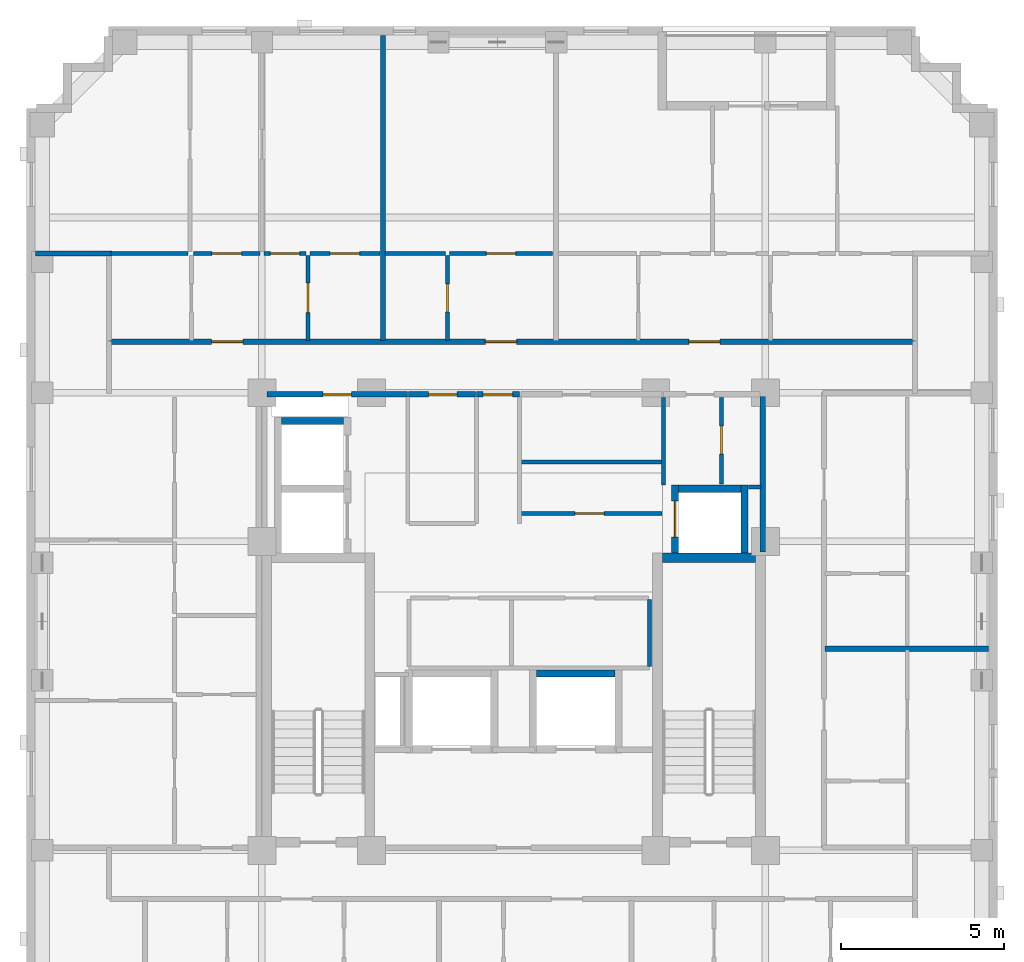
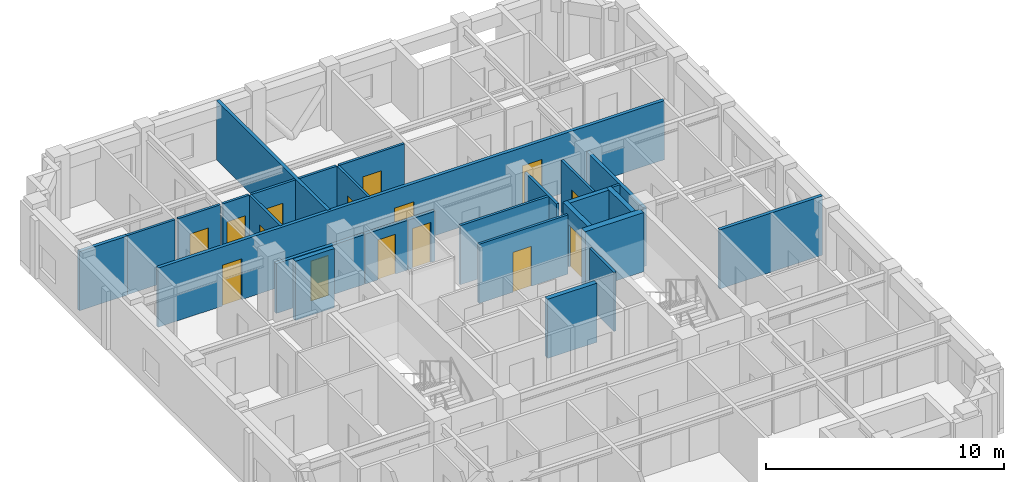
# One storey, part 5 of 11: 28 walls, 15 doors, 15 openings.
"""IFC4 building model written with IfcOpenShell, lengths in metres."""

from ifc_helpers import new_model, si_unit, derived_unit, direction, frame, frame_2d, origin, place, context, subcontext, project, spatial, rectangle, extrude, material, layer, layer_set, type_object, element, fill, save


model = new_model("IFC4")

# Units and contexts
model_context = context("Model", 3, precision=1e-05, world=origin(), true_north=direction((0.0, 1.0)))
body_context = subcontext(model_context, "Body", "Model", "MODEL_VIEW")
ifc_project = project(units=[si_unit("LENGTHUNIT", "METRE"), si_unit("AREAUNIT", "SQUARE_METRE"), si_unit("VOLUMEUNIT", "CUBIC_METRE"), si_unit("PLANEANGLEUNIT", "RADIAN"), si_unit("MASSUNIT", "GRAM", prefix="KILO"), derived_unit("THERMALTRANSMITTANCEUNIT", [(si_unit("MASSUNIT", "GRAM", prefix="KILO"), 1), (si_unit("TIMEUNIT", "SECOND"), -3), (si_unit("THERMODYNAMICTEMPERATUREUNIT", "KELVIN"), -1)])], contexts=[model_context])

# Site, building, storey
site_placement = place(None, origin())
site = spatial("IfcSite", under=ifc_project, at=site_placement, CompositionType="ELEMENT")
building_placement = place(site_placement, origin())
building = spatial("IfcBuilding", under=site, at=building_placement, Name="Korrvale Station Residences", CompositionType="ELEMENT")
storey_placement = place(building_placement, frame((0.0, 0.0, 210.699951171875)))
storey = spatial("IfcBuildingStorey", under=building, at=storey_placement, Name="L61", CompositionType="ELEMENT", Elevation=210.699951171875)

# Walls
ifc_material_1 = material(Name="Concrete C50/60", Category="concrete")
ifc_layer_1 = layer(ifc_material_1, 0.300048828125, Name="Concrete C50/60")
ifc_layer_set_1 = layer_set([ifc_layer_1], Name="Concrete C50/60")
wall_type_1 = type_object("IfcWallType", Name="WAL-CORE-300-C50", PredefinedType="SHEAR", material=ifc_layer_set_1)
wall_1_placement = place(storey_placement, frame((30.050048828125, 23.949951171875, 0.0), z_axis=(0.0, 0.0, 1.0), x_axis=(1.0, 0.0, 0.0)))
element("IfcWall", 1, at=wall_1_placement, inside=storey, type_object=wall_type_1, Name="L61 ST-2 Core Shear Wall North", PredefinedType="SHEAR", context=body_context, shape_type="SweptSolid", body=[
    extrude(rectangle(XDim=2.849853515625, YDim=0.300048828125, at=frame_2d((1.4248046875, 0.0))), origin(), (0.0, 0.0, 1.0), 3.0400390625),
])
ifc_material_2 = material(Name="Acoustic steel-stud gypsum board partition", Category="steel")
ifc_layer_2 = layer(ifc_material_2, 0.1201171875, Name="Acoustic steel-stud gypsum board partition")
ifc_layer_set_2 = layer_set([ifc_layer_2], Name="Acoustic steel-stud gypsum board partition")
wall_type_2 = type_object("IfcWallType", Name="WAL-PART-125", PredefinedType="PARTITIONING", material=ifc_layer_set_2)
wall_2_placement = place(storey_placement, frame((30.080078125, 26.179931640625, 0.0), z_axis=(0.0, 0.0, 1.0), x_axis=(0.0, 1.0, 0.0)))
element("IfcWall", 2, at=wall_2_placement, inside=storey, type_object=wall_type_2, Name="L61 Core Partition CW-CS-W", PredefinedType="PARTITIONING", context=body_context, shape_type="SweptSolid", body=[
    extrude(rectangle(XDim=2.68017578125, YDim=0.1201171875, at=frame_2d((1.340087890625, 0.0))), origin(), (0.0, 0.0, 1.0), 3.0400390625),
])
wall_3_placement = place(storey_placement, frame((32.679931640625, 26.1201171875, 0.0), z_axis=(0.0, 0.0, 1.0), x_axis=(1.0, 0.0, 0.0)))
element("IfcWall", 3, at=wall_3_placement, inside=storey, type_object=wall_type_2, Name="L61 Core Partition CW-CS-S", PredefinedType="PARTITIONING", context=body_context, shape_type="SweptSolid", body=[
    extrude(rectangle(XDim=0.380126953125, YDim=0.1201171875, at=frame_2d((0.18994140625, 0.0))), origin(), (0.0, 0.0, 1.0), 3.0400390625),
])

# Wall, opening, door
wall_4_placement = place(storey_placement, frame((31.860107421875, 26.199951171875, 0.0), z_axis=(0.0, 0.0, 1.0), x_axis=(0.0, 1.0, 0.0)))
wall_4 = element("IfcWall", 4, at=wall_4_placement, inside=storey, type_object=wall_type_2, Name="L61 Core Partition CW-CS-MID", PredefinedType="PARTITIONING", context=body_context, shape_type="SweptSolid", body=[
    extrude(rectangle(XDim=2.66015625, YDim=0.1201171875, at=frame_2d((1.330078125, 0.0))), origin(), (0.0, 0.0, 1.0), 3.0400390625),
])
opening_1_placement = place(wall_4_placement, frame((0.919921875, 0.0, 0.0)))
opening_1 = element("IfcOpeningElement", 5, at=opening_1_placement, cuts=wall_4, Name="Opening DB-860", PredefinedType="OPENING", context=body_context, shape_type="SweptSolid", body=[
    extrude(rectangle(XDim=0.860107421875, YDim=2.050048828125, at=frame_2d((0.43017578125, 1.02490234375))), frame((0.0, 0.070068359375, 0.0), z_axis=(0.0, -1.0, 0.0), x_axis=(1.0, 0.0, 0.0)), (0.0, 0.0, 1.0), 0.14013671875),
])
ifc_material_3 = material(Name="Moisture-resistant solid-core bathroom door", Category="timber")
door_type_1 = type_object("IfcDoorType", Name="DR-BATH-860", OperationType="NOTDEFINED", PredefinedType="DOOR", material=ifc_material_3)
door_1_placement = place(opening_1_placement, origin())
door_1 = element("IfcDoor", 6, at=door_1_placement, inside=storey, type_object=door_type_1, Name="L61 Metering Inner Door", OperationType="SINGLE_SWING_LEFT", OverallHeight=2.050048828125, OverallWidth=0.860107421875, PredefinedType="DOOR", context=body_context, shape_type="SweptSolid", body=[
    extrude(rectangle(XDim=0.860107421875, YDim=2.050048828125, at=frame_2d((0.43017578125, 1.02490234375))), frame((0.0, 0.02490234375, 0.0), z_axis=(0.0, -1.0, 0.0), x_axis=(1.0, 0.0, 0.0)), (0.0, 0.0, 1.0), 0.050048828125),
])
fill(opening_1, door_1)

# Wall
wall_5_placement = place(storey_placement, frame((25.719970703125, 26.8798828125, 0.0), z_axis=(0.0, 0.0, 1.0), x_axis=(1.0, 0.0, 0.0)))
element("IfcWall", 7, at=wall_5_placement, inside=storey, type_object=wall_type_2, Name="L61 Core Partition CW-FPLE-H", PredefinedType="PARTITIONING", context=body_context, shape_type="SweptSolid", body=[
    extrude(rectangle(XDim=4.320068359375, YDim=0.1201171875, at=frame_2d((2.16015625, 0.0))), origin(), (0.0, 0.0, 1.0), 3.0400390625),
])

# Wall, opening, door
wall_6_placement = place(storey_placement, frame((25.719970703125, 25.300048828125, 0.0), z_axis=(0.0, 0.0, 1.0), x_axis=(1.0, 0.0, 0.0)))
wall_6 = element("IfcWall", 8, at=wall_6_placement, inside=storey, type_object=wall_type_2, Name="L61 Core Partition CW-FPLE-S", PredefinedType="PARTITIONING", context=body_context, shape_type="SweptSolid", body=[
    extrude(rectangle(XDim=4.320068359375, YDim=0.1201171875, at=frame_2d((2.16015625, 0.0))), origin(), (0.0, 0.0, 1.0), 3.0400390625),
])
opening_2_placement = place(wall_6_placement, frame((1.64990234375, 0.0, 0.0)))
opening_2 = element("IfcOpeningElement", 9, at=opening_2_placement, cuts=wall_6, Name="Opening DI-900", PredefinedType="OPENING", context=body_context, shape_type="SweptSolid", body=[
    extrude(rectangle(XDim=0.89990234375, YDim=2.050048828125, at=frame_2d((0.449951171875, 1.02490234375))), frame((0.0, 0.070068359375, 0.0), z_axis=(0.0, -1.0, 0.0), x_axis=(1.0, 0.0, 0.0)), (0.0, 0.0, 1.0), 0.14013671875),
])
ifc_material_4 = material(Name="Painted solid-core timber interior room door", Category="wood")
door_type_2 = type_object("IfcDoorType", Name="DR-INT-900", OperationType="NOTDEFINED", PredefinedType="DOOR", material=ifc_material_4)
door_2_placement = place(opening_2_placement, origin())
door_2 = element("IfcDoor", 10, at=door_2_placement, inside=storey, type_object=door_type_2, Name="L61 Housekeeping Linen Door", OperationType="SINGLE_SWING_RIGHT", OverallHeight=2.050048828125, OverallWidth=0.89990234375, PredefinedType="DOOR", context=body_context, shape_type="SweptSolid", body=[
    extrude(rectangle(XDim=0.89990234375, YDim=2.050048828125, at=frame_2d((0.449951171875, 1.02490234375))), frame((0.0, 0.02490234375, 0.0), z_axis=(0.0, -1.0, 0.0), x_axis=(1.0, 0.0, 0.0)), (0.0, 0.0, 1.0), 0.050048828125),
])
fill(opening_2, door_2)

# Walls
wall_7_placement = place(storey_placement, frame((29.659912109375, 20.6201171875, 0.0), z_axis=(0.0, 0.0, 1.0), x_axis=(0.0, 1.0, 0.0)))
element("IfcWall", 11, at=wall_7_placement, inside=storey, type_object=wall_type_2, Name="L61 Core Partition CW-FPM-E", PredefinedType="PARTITIONING", context=body_context, shape_type="SweptSolid", body=[
    extrude(rectangle(XDim=2.059814453125, YDim=0.1201171875, at=frame_2d((1.02978515625, 0.0))), origin(), (0.0, 0.0, 1.0), 3.0400390625),
])
wall_8_placement = place(storey_placement, frame((13.179931640625, 33.260009765625, 0.0), z_axis=(0.0, 0.0, 1.0), x_axis=(1.0, 0.0, 0.0)))
element("IfcWall", 12, at=wall_8_placement, inside=storey, type_object=wall_type_2, Name="L61 Suite Partition U04-H03", PredefinedType="PARTITIONING", context=body_context, shape_type="SweptSolid", body=[
    extrude(rectangle(XDim=2.361083984375, YDim=0.1201171875, at=frame_2d((1.1806640625, 0.0))), origin(), (0.0, 0.0, 1.0), 3.0400390625),
])

# Wall, opening, door
wall_9_placement = place(storey_placement, frame((19.2099609375, 30.60009765625, 0.0), z_axis=(0.0, 0.0, 1.0), x_axis=(0.0, 1.0, 0.0)))
wall_9 = element("IfcWall", 13, at=wall_9_placement, inside=storey, type_object=wall_type_2, Name="L61 Suite Partition U04-V12", PredefinedType="PARTITIONING", context=body_context, shape_type="SweptSolid", body=[
    extrude(rectangle(XDim=2.599853515625, YDim=0.1201171875, at=frame_2d((1.2998046875, 0.0))), origin(), (0.0, 0.0, 1.0), 3.0400390625),
])
opening_3_placement = place(wall_9_placement, frame((0.85009765625, 0.0, 0.0)))
opening_3 = element("IfcOpeningElement", 14, at=opening_3_placement, cuts=wall_9, Name="Opening DI-900", PredefinedType="OPENING", context=body_context, shape_type="SweptSolid", body=[
    extrude(rectangle(XDim=0.89990234375, YDim=2.050048828125, at=frame_2d((0.449951171875, 1.02490234375))), frame((0.0, 0.070068359375, 0.0), z_axis=(0.0, -1.0, 0.0), x_axis=(1.0, 0.0, 0.0)), (0.0, 0.0, 1.0), 0.14013671875),
])
door_3_placement = place(opening_3_placement, origin())
door_3 = element("IfcDoor", 15, at=door_3_placement, inside=storey, type_object=door_type_2, Name="L61 Apartment 2BR L61-U04 Kitchen Door", OperationType="SINGLE_SWING_LEFT", OverallHeight=2.050048828125, OverallWidth=0.89990234375, PredefinedType="DOOR", context=body_context, shape_type="SweptSolid", body=[
    extrude(rectangle(XDim=0.89990234375, YDim=2.050048828125, at=frame_2d((0.449951171875, 1.02490234375))), frame((0.0, 0.02490234375, 0.0), z_axis=(0.0, -1.0, 0.0), x_axis=(1.0, 0.0, 0.0)), (0.0, 0.0, 1.0), 0.050048828125),
])
fill(opening_3, door_3)

wall_10_placement = place(storey_placement, frame((15.699951171875, 33.260009765625, 0.0), z_axis=(0.0, 0.0, 1.0), x_axis=(1.0, 0.0, 0.0)))
wall_10 = element("IfcWall", 16, at=wall_10_placement, inside=storey, type_object=wall_type_2, Name="L61 Suite Partition U04-H14", PredefinedType="PARTITIONING", context=body_context, shape_type="SweptSolid", body=[
    extrude(rectangle(XDim=2.0400390625, YDim=0.1201171875, at=frame_2d((1.02001953125, 0.0))), origin(), (0.0, 0.0, 1.0), 3.0400390625),
])
opening_4_placement = place(wall_10_placement, frame((0.570068359375, 0.0, 0.0)))
opening_4 = element("IfcOpeningElement", 17, at=opening_4_placement, cuts=wall_10, Name="Opening DI-900", PredefinedType="OPENING", context=body_context, shape_type="SweptSolid", body=[
    extrude(rectangle(XDim=0.89990234375, YDim=2.050048828125, at=frame_2d((0.449951171875, 1.02490234375))), frame((0.0, 0.070068359375, 0.0), z_axis=(0.0, -1.0, 0.0), x_axis=(1.0, 0.0, 0.0)), (0.0, 0.0, 1.0), 0.14013671875),
])
door_4_placement = place(opening_4_placement, origin())
door_4 = element("IfcDoor", 18, at=door_4_placement, inside=storey, type_object=door_type_2, Name="L61 Apartment 2BR L61-U04 Kitchen Door", OperationType="SINGLE_SWING_RIGHT", OverallHeight=2.050048828125, OverallWidth=0.89990234375, PredefinedType="DOOR", context=body_context, shape_type="SweptSolid", body=[
    extrude(rectangle(XDim=0.89990234375, YDim=2.050048828125, at=frame_2d((0.449951171875, 1.02490234375))), frame((0.0, 0.02490234375, 0.0), z_axis=(0.0, -1.0, 0.0), x_axis=(1.0, 0.0, 0.0)), (0.0, 0.0, 1.0), 0.050048828125),
])
fill(opening_4, door_4)

wall_11_placement = place(storey_placement, frame((17.860107421875, 33.260009765625, 0.0), z_axis=(0.0, 0.0, 1.0), x_axis=(1.0, 0.0, 0.0)))
wall_11 = element("IfcWall", 19, at=wall_11_placement, inside=storey, type_object=wall_type_2, Name="L61 Suite Partition U04-H15", PredefinedType="PARTITIONING", context=body_context, shape_type="SweptSolid", body=[
    extrude(rectangle(XDim=1.289794921875, YDim=0.1201171875, at=frame_2d((0.64501953125, 0.0))), origin(), (0.0, 0.0, 1.0), 3.0400390625),
])
opening_5_placement = place(wall_11_placement, frame((0.195068359375, 0.0, 0.0)))
opening_5 = element("IfcOpeningElement", 20, at=opening_5_placement, cuts=wall_11, Name="Opening DI-900", PredefinedType="OPENING", context=body_context, shape_type="SweptSolid", body=[
    extrude(rectangle(XDim=0.89990234375, YDim=2.050048828125, at=frame_2d((0.449951171875, 1.02490234375))), frame((0.0, 0.070068359375, 0.0), z_axis=(0.0, -1.0, 0.0), x_axis=(1.0, 0.0, 0.0)), (0.0, 0.0, 1.0), 0.14013671875),
])
door_5_placement = place(opening_5_placement, origin())
door_5 = element("IfcDoor", 21, at=door_5_placement, inside=storey, type_object=door_type_2, Name="L61 Apartment 2BR L61-U04 Kitchen Door", OperationType="SINGLE_SWING_LEFT", OverallHeight=2.050048828125, OverallWidth=0.89990234375, PredefinedType="DOOR", context=body_context, shape_type="SweptSolid", body=[
    extrude(rectangle(XDim=0.89990234375, YDim=2.050048828125, at=frame_2d((0.449951171875, 1.02490234375))), frame((0.0, 0.02490234375, 0.0), z_axis=(0.0, -1.0, 0.0), x_axis=(1.0, 0.0, 0.0)), (0.0, 0.0, 1.0), 0.050048828125),
])
fill(opening_5, door_5)

wall_12_placement = place(storey_placement, frame((19.27001953125, 33.260009765625, 0.0), z_axis=(0.0, 0.0, 1.0), x_axis=(1.0, 0.0, 0.0)))
wall_12 = element("IfcWall", 22, at=wall_12_placement, inside=storey, type_object=wall_type_2, Name="L61 Suite Partition U04-H25", PredefinedType="PARTITIONING", context=body_context, shape_type="SweptSolid", body=[
    extrude(rectangle(XDim=2.135009765625, YDim=0.1201171875, at=frame_2d((1.0673828125, 0.0))), origin(), (0.0, 0.0, 1.0), 3.0400390625),
])
opening_6_placement = place(wall_12_placement, frame((0.616943359375, 0.0, 0.0)))
opening_6 = element("IfcOpeningElement", 23, at=opening_6_placement, cuts=wall_12, Name="Opening DI-900", PredefinedType="OPENING", context=body_context, shape_type="SweptSolid", body=[
    extrude(rectangle(XDim=0.89990234375, YDim=2.050048828125, at=frame_2d((0.449951171875, 1.02490234375))), frame((0.0, 0.070068359375, 0.0), z_axis=(0.0, -1.0, 0.0), x_axis=(1.0, 0.0, 0.0)), (0.0, 0.0, 1.0), 0.14013671875),
])
door_6_placement = place(opening_6_placement, origin())
door_6 = element("IfcDoor", 24, at=door_6_placement, inside=storey, type_object=door_type_2, Name="L61 Apartment 2BR L61-U04 Utility and Laundry Room Door", OperationType="SINGLE_SWING_RIGHT", OverallHeight=2.050048828125, OverallWidth=0.89990234375, PredefinedType="DOOR", context=body_context, shape_type="SweptSolid", body=[
    extrude(rectangle(XDim=0.89990234375, YDim=2.050048828125, at=frame_2d((0.449951171875, 1.02490234375))), frame((0.0, 0.02490234375, 0.0), z_axis=(0.0, -1.0, 0.0), x_axis=(1.0, 0.0, 0.0)), (0.0, 0.0, 1.0), 0.050048828125),
])
fill(opening_6, door_6)

wall_13_placement = place(storey_placement, frame((23.47509765625, 30.60009765625, 0.0), z_axis=(0.0, 0.0, 1.0), x_axis=(0.0, 1.0, 0.0)))
wall_13 = element("IfcWall", 25, at=wall_13_placement, inside=storey, type_object=wall_type_2, Name="L61 Suite Partition U05-V01", PredefinedType="PARTITIONING", context=body_context, shape_type="SweptSolid", body=[
    extrude(rectangle(XDim=2.599853515625, YDim=0.1201171875, at=frame_2d((1.2998046875, 0.0))), origin(), (0.0, 0.0, 1.0), 3.0400390625),
])
opening_7_placement = place(wall_13_placement, frame((0.8701171875, 0.0, 0.0)))
opening_7 = element("IfcOpeningElement", 26, at=opening_7_placement, cuts=wall_13, Name="Opening DB-860", PredefinedType="OPENING", context=body_context, shape_type="SweptSolid", body=[
    extrude(rectangle(XDim=0.860107421875, YDim=2.050048828125, at=frame_2d((0.43017578125, 1.02490234375))), frame((0.0, 0.070068359375, 0.0), z_axis=(0.0, -1.0, 0.0), x_axis=(1.0, 0.0, 0.0)), (0.0, 0.0, 1.0), 0.14013671875),
])
door_7_placement = place(opening_7_placement, origin())
door_7 = element("IfcDoor", 27, at=door_7_placement, inside=storey, type_object=door_type_1, Name="L61 Studio Apartment L61-U05 Bathroom Door", OperationType="SINGLE_SWING_LEFT", OverallHeight=2.050048828125, OverallWidth=0.860107421875, PredefinedType="DOOR", context=body_context, shape_type="SweptSolid", body=[
    extrude(rectangle(XDim=0.860107421875, YDim=2.050048828125, at=frame_2d((0.43017578125, 1.02490234375))), frame((0.0, 0.02490234375, 0.0), z_axis=(0.0, -1.0, 0.0), x_axis=(1.0, 0.0, 0.0)), (0.0, 0.0, 1.0), 0.050048828125),
])
fill(opening_7, door_7)

# Wall
wall_14_placement = place(storey_placement, frame((21.56494140625, 33.260009765625, 0.0), z_axis=(0.0, 0.0, 1.0), x_axis=(1.0, 0.0, 0.0)))
element("IfcWall", 28, at=wall_14_placement, inside=storey, type_object=wall_type_2, Name="L61 Suite Partition U05-H02", PredefinedType="PARTITIONING", context=body_context, shape_type="SweptSolid", body=[
    extrude(rectangle(XDim=1.85009765625, YDim=0.1201171875, at=frame_2d((0.925048828125, 0.0))), origin(), (0.0, 0.0, 1.0), 3.0400390625),
])

# Wall, opening, door
wall_15_placement = place(storey_placement, frame((23.534912109375, 33.260009765625, 0.0), z_axis=(0.0, 0.0, 1.0), x_axis=(1.0, 0.0, 0.0)))
wall_15 = element("IfcWall", 29, at=wall_15_placement, inside=storey, type_object=wall_type_2, Name="L61 Suite Partition U05-H12", PredefinedType="PARTITIONING", context=body_context, shape_type="SweptSolid", body=[
    extrude(rectangle(XDim=3.156982421875, YDim=0.1201171875, at=frame_2d((1.57861328125, 0.0))), origin(), (0.0, 0.0, 1.0), 3.0400390625),
])
opening_8_placement = place(wall_15_placement, frame((1.12890625, 0.0, 0.0)))
opening_8 = element("IfcOpeningElement", 30, at=opening_8_placement, cuts=wall_15, Name="Opening DI-900", PredefinedType="OPENING", context=body_context, shape_type="SweptSolid", body=[
    extrude(rectangle(XDim=0.89990234375, YDim=2.050048828125, at=frame_2d((0.449951171875, 1.02490234375))), frame((0.0, 0.070068359375, 0.0), z_axis=(0.0, -1.0, 0.0), x_axis=(1.0, 0.0, 0.0)), (0.0, 0.0, 1.0), 0.14013671875),
])
door_8_placement = place(opening_8_placement, origin())
door_8 = element("IfcDoor", 31, at=door_8_placement, inside=storey, type_object=door_type_2, Name="L61 Studio Apartment L61-U05 Kitchen Door", OperationType="SINGLE_SWING_RIGHT", OverallHeight=2.050048828125, OverallWidth=0.89990234375, PredefinedType="DOOR", context=body_context, shape_type="SweptSolid", body=[
    extrude(rectangle(XDim=0.89990234375, YDim=2.050048828125, at=frame_2d((0.449951171875, 1.02490234375))), frame((0.0, 0.02490234375, 0.0), z_axis=(0.0, -1.0, 0.0), x_axis=(1.0, 0.0, 0.0)), (0.0, 0.0, 1.0), 0.050048828125),
])
fill(opening_8, door_8)

# Wall
ifc_material_5 = material(Name="Fire-rated twin-stud gypsum and mineral wool shaftwall assembly", Category="gypsum")
ifc_layer_3 = layer(ifc_material_5, 0.159912109375, Name="Fire-rated twin-stud gypsum and mineral wool shaftwall assembly")
ifc_layer_set_3 = layer_set([ifc_layer_3], Name="Fire-rated twin-stud gypsum and mineral wool shaftwall assembly")
wall_type_3 = type_object("IfcWallType", Name="WAL-PART-200", PredefinedType="PARTITIONING", material=ifc_layer_set_3)
wall_16_placement = place(storey_placement, frame((33.1201171875, 24.1201171875, 0.0), z_axis=(0.0, 0.0, 1.0), x_axis=(0.0, 1.0, 0.0)))
element("IfcWall", 32, at=wall_16_placement, inside=storey, type_object=wall_type_3, Name="L61 Core Partition CW-E-N", PredefinedType="PARTITIONING", context=body_context, shape_type="SweptSolid", body=[
    extrude(rectangle(XDim=4.759765625, YDim=0.159912109375, at=frame_2d((2.3798828125, 0.0))), origin(), (0.0, 0.0, 1.0), 3.0400390625),
])

# Wall, opening, door
wall_17_placement = place(storey_placement, frame((24.360107421875, 28.949951171875, 0.0), z_axis=(0.0, 0.0, 1.0), x_axis=(1.0, 0.0, 0.0)))
wall_17 = element("IfcWall", 33, at=wall_17_placement, inside=storey, type_object=wall_type_3, Name="L61 Core Partition CW-LLOB-N", PredefinedType="PARTITIONING", context=body_context, shape_type="SweptSolid", body=[
    extrude(rectangle(XDim=1.31982421875, YDim=0.159912109375, at=frame_2d((0.659912109375, 0.0))), origin(), (0.0, 0.0, 1.0), 2.55615234375),
])
opening_9_placement = place(wall_17_placement, frame((0.2099609375, 0.0, 0.0)))
opening_9 = element("IfcOpeningElement", 34, at=opening_9_placement, cuts=wall_17, Name="Opening DI-900", PredefinedType="OPENING", context=body_context, shape_type="SweptSolid", body=[
    extrude(rectangle(XDim=0.89990234375, YDim=2.050048828125, at=frame_2d((0.449951171875, 1.02490234375))), frame((0.0, 0.08984375, 0.0), z_axis=(0.0, -1.0, 0.0), x_axis=(1.0, 0.0, 0.0)), (0.0, 0.0, 1.0), 0.179931640625),
])
door_9_placement = place(opening_9_placement, origin())
door_9 = element("IfcDoor", 35, at=door_9_placement, inside=storey, type_object=door_type_2, Name="L61 Central Hallway North Passage Door", OperationType="SINGLE_SWING_LEFT", OverallHeight=2.050048828125, OverallWidth=0.89990234375, PredefinedType="DOOR", context=body_context, shape_type="SweptSolid", body=[
    extrude(rectangle(XDim=0.89990234375, YDim=2.050048828125, at=frame_2d((0.449951171875, 1.02490234375))), frame((0.0, 0.02490234375, 0.0), z_axis=(0.0, -1.0, 0.0), x_axis=(1.0, 0.0, 0.0)), (0.0, 0.0, 1.0), 0.050048828125),
])
fill(opening_9, door_9)

wall_18_placement = place(storey_placement, frame((17.9599609375, 28.949951171875, 0.0), z_axis=(0.0, 0.0, 1.0), x_axis=(1.0, 0.0, 0.0)))
wall_18 = element("IfcWall", 36, at=wall_18_placement, inside=storey, type_object=wall_type_3, Name="L61 Core Partition CW-NW", PredefinedType="PARTITIONING", context=body_context, shape_type="SweptSolid", body=[
    extrude(rectangle(XDim=4.2900390625, YDim=0.159912109375, at=frame_2d((2.14501953125, 0.0))), origin(), (0.0, 0.0, 1.0), 2.55615234375),
])
opening_10_placement = place(wall_18_placement, frame((1.715087890625, 0.0, 0.0)))
opening_10 = element("IfcOpeningElement", 37, at=opening_10_placement, cuts=wall_18, Name="Opening DB-860", PredefinedType="OPENING", context=body_context, shape_type="SweptSolid", body=[
    extrude(rectangle(XDim=0.860107421875, YDim=2.050048828125, at=frame_2d((0.43017578125, 1.02490234375))), frame((0.0, 0.08984375, 0.0), z_axis=(0.0, -1.0, 0.0), x_axis=(1.0, 0.0, 0.0)), (0.0, 0.0, 1.0), 0.179931640625),
])
door_10_placement = place(opening_10_placement, origin())
door_10 = element("IfcDoor", 38, at=door_10_placement, inside=storey, type_object=door_type_1, Name="L61 Electrical Riser Access Door", OperationType="SINGLE_SWING_RIGHT", OverallHeight=2.050048828125, OverallWidth=0.860107421875, PredefinedType="DOOR", context=body_context, shape_type="SweptSolid", body=[
    extrude(rectangle(XDim=0.860107421875, YDim=2.050048828125, at=frame_2d((0.43017578125, 1.02490234375))), frame((0.0, 0.02490234375, 0.0), z_axis=(0.0, -1.0, 0.0), x_axis=(1.0, 0.0, 0.0)), (0.0, 0.0, 1.0), 0.050048828125),
])
fill(opening_10, door_10)

wall_19_placement = place(storey_placement, frame((22.280029296875, 28.949951171875, 0.0), z_axis=(0.0, 0.0, 1.0), x_axis=(1.0, 0.0, 0.0)))
wall_19 = element("IfcWall", 39, at=wall_19_placement, inside=storey, type_object=wall_type_3, Name="L61 Core Partition CW-FPLW-N", PredefinedType="PARTITIONING", context=body_context, shape_type="SweptSolid", body=[
    extrude(rectangle(XDim=2.06005859375, YDim=0.159912109375, at=frame_2d((1.030029296875, 0.0))), origin(), (0.0, 0.0, 1.0), 2.55615234375),
])
opening_11_placement = place(wall_19_placement, frame((0.6201171875, 0.0, 0.0)))
opening_11 = element("IfcOpeningElement", 40, at=opening_11_placement, cuts=wall_19, Name="Opening DB-860", PredefinedType="OPENING", context=body_context, shape_type="SweptSolid", body=[
    extrude(rectangle(XDim=0.860107421875, YDim=2.050048828125, at=frame_2d((0.43017578125, 1.02490234375))), frame((0.0, 0.08984375, 0.0), z_axis=(0.0, -1.0, 0.0), x_axis=(1.0, 0.0, 0.0)), (0.0, 0.0, 1.0), 0.179931640625),
])
door_11_placement = place(opening_11_placement, origin())
door_11 = element("IfcDoor", 41, at=door_11_placement, inside=storey, type_object=door_type_1, Name="L61 Resident Parcel Room Door", OperationType="SINGLE_SWING_LEFT", OverallHeight=2.050048828125, OverallWidth=0.860107421875, PredefinedType="DOOR", context=body_context, shape_type="SweptSolid", body=[
    extrude(rectangle(XDim=0.860107421875, YDim=2.050048828125, at=frame_2d((0.43017578125, 1.02490234375))), frame((0.0, 0.02490234375, 0.0), z_axis=(0.0, -1.0, 0.0), x_axis=(1.0, 0.0, 0.0)), (0.0, 0.0, 1.0), 0.050048828125),
])
fill(opening_11, door_11)

# Walls
wall_20_placement = place(storey_placement, frame((10.8798828125, 33.260009765625, 0.0), z_axis=(0.0, 0.0, 1.0), x_axis=(1.0, 0.0, 0.0)))
element("IfcWall", 42, at=wall_20_placement, inside=storey, type_object=wall_type_3, Name="L61 Corner Step Wall U04-L", PredefinedType="PARTITIONING", context=body_context, shape_type="SweptSolid", body=[
    extrude(rectangle(XDim=2.340087890625, YDim=0.159912109375, at=frame_2d((1.169921875, 0.0))), origin(), (0.0, 0.0, 1.0), 3.0400390625),
])
wall_21_placement = place(storey_placement, frame((21.5048828125, 30.60009765625, 0.0), z_axis=(0.0, 0.0, 1.0), x_axis=(0.0, 1.0, 0.0)))
element("IfcWall", 43, at=wall_21_placement, inside=storey, type_object=wall_type_3, Name="L61 Demising Wall U05-W", PredefinedType="PARTITIONING", context=body_context, shape_type="SweptSolid", body=[
    extrude(rectangle(XDim=9.31982421875, YDim=0.159912109375, at=frame_2d((4.659912109375, 0.0))), origin(), (0.0, 0.0, 1.0), 3.0400390625),
])
wall_22_placement = place(storey_placement, frame((35.030029296875, 21.166015625, 0.0), z_axis=(0.0, 0.0, 1.0), x_axis=(1.0, 0.0, 0.0)))
element("IfcWall", 44, at=wall_22_placement, inside=storey, type_object=wall_type_3, Name="L61 Demising Wall U08-N", PredefinedType="PARTITIONING", context=body_context, shape_type="SweptSolid", body=[
    extrude(rectangle(XDim=4.989990234375, YDim=0.159912109375, at=frame_2d((2.4951171875, 0.0))), origin(), (0.0, 0.0, 1.0), 3.0400390625),
])

# Wall, openings, doors
wall_23_placement = place(storey_placement, frame((13.14990234375, 30.56005859375, 0.0), z_axis=(0.0, 0.0, 1.0), x_axis=(1.0, 0.0, 0.0)))
wall_23 = element("IfcWall", 45, at=wall_23_placement, inside=storey, type_object=wall_type_3, Name="L61 Rated Corridor Wall N", PredefinedType="PARTITIONING", context=body_context, shape_type="SweptSolid", body=[
    extrude(rectangle(XDim=24.60009765625, YDim=0.159912109375, at=frame_2d((12.300048828125, 0.0))), origin(), (0.0, 0.0, 1.0), 3.0400390625),
])
opening_12_placement = place(wall_23_placement, frame((3.114990234375, 0.0, 0.0)))
opening_12 = element("IfcOpeningElement", 46, at=opening_12_placement, cuts=wall_23, Name="Opening UD-950", PredefinedType="OPENING", context=body_context, shape_type="SweptSolid", body=[
    extrude(rectangle(XDim=0.949951171875, YDim=2.10009765625, at=frame_2d((0.47509765625, 1.050048828125))), frame((0.0, 0.08984375, 0.0), z_axis=(0.0, -1.0, 0.0), x_axis=(1.0, 0.0, 0.0)), (0.0, 0.0, 1.0), 0.179931640625),
])
opening_13_placement = place(wall_23_placement, frame((11.489013671875, 0.0, 0.0)))
opening_13 = element("IfcOpeningElement", 47, at=opening_13_placement, cuts=wall_23, Name="Opening UD-950", PredefinedType="OPENING", context=body_context, shape_type="SweptSolid", body=[
    extrude(rectangle(XDim=0.949951171875, YDim=2.10009765625, at=frame_2d((0.47509765625, 1.050048828125))), frame((0.0, 0.08984375, 0.0), z_axis=(0.0, -1.0, 0.0), x_axis=(1.0, 0.0, 0.0)), (0.0, 0.0, 1.0), 0.179931640625),
])
opening_14_placement = place(wall_23_placement, frame((17.70703125, 0.0, 0.0)))
opening_14 = element("IfcOpeningElement", 48, at=opening_14_placement, cuts=wall_23, Name="Opening UD-950", PredefinedType="OPENING", context=body_context, shape_type="SweptSolid", body=[
    extrude(rectangle(XDim=0.949951171875, YDim=2.10009765625, at=frame_2d((0.47509765625, 1.050048828125))), frame((0.0, 0.08984375, 0.0), z_axis=(0.0, -1.0, 0.0), x_axis=(1.0, 0.0, 0.0)), (0.0, 0.0, 1.0), 0.179931640625),
])
ifc_material_6 = material(Name="Solid-core acoustic oak apartment entrance door", Category="timber")
door_type_3 = type_object("IfcDoorType", Name="DR-UNIT-950", OperationType="NOTDEFINED", PredefinedType="DOOR", material=ifc_material_6)
door_12_placement = place(opening_12_placement, origin())
door_12 = element("IfcDoor", 49, at=door_12_placement, inside=storey, type_object=door_type_3, Name="L61 Apartment L61-U04 Entrance Door", OperationType="SINGLE_SWING_LEFT", OverallHeight=2.10009765625, OverallWidth=0.949951171875, PredefinedType="DOOR", context=body_context, shape_type="SweptSolid", body=[
    extrude(rectangle(XDim=0.949951171875, YDim=2.10009765625, at=frame_2d((0.47509765625, 1.050048828125))), frame((0.0, 0.02490234375, 0.0), z_axis=(0.0, -1.0, 0.0), x_axis=(1.0, 0.0, 0.0)), (0.0, 0.0, 1.0), 0.050048828125),
])
fill(opening_12, door_12)
door_13_placement = place(opening_13_placement, origin())
door_13 = element("IfcDoor", 50, at=door_13_placement, inside=storey, type_object=door_type_3, Name="L61 Apartment L61-U05 Entrance Door", OperationType="SINGLE_SWING_RIGHT", OverallHeight=2.10009765625, OverallWidth=0.949951171875, PredefinedType="DOOR", context=body_context, shape_type="SweptSolid", body=[
    extrude(rectangle(XDim=0.949951171875, YDim=2.10009765625, at=frame_2d((0.47509765625, 1.050048828125))), frame((0.0, 0.02490234375, 0.0), z_axis=(0.0, -1.0, 0.0), x_axis=(1.0, 0.0, 0.0)), (0.0, 0.0, 1.0), 0.050048828125),
])
fill(opening_13, door_13)
door_14_placement = place(opening_14_placement, origin())
door_14 = element("IfcDoor", 51, at=door_14_placement, inside=storey, type_object=door_type_3, Name="L61 Apartment L61-U06 Entrance Door", OperationType="SINGLE_SWING_LEFT", OverallHeight=2.10009765625, OverallWidth=0.949951171875, PredefinedType="DOOR", context=body_context, shape_type="SweptSolid", body=[
    extrude(rectangle(XDim=0.949951171875, YDim=2.10009765625, at=frame_2d((0.47509765625, 1.050048828125))), frame((0.0, 0.02490234375, 0.0), z_axis=(0.0, -1.0, 0.0), x_axis=(1.0, 0.0, 0.0)), (0.0, 0.0, 1.0), 0.050048828125),
])
fill(opening_14, door_14)

# Walls
ifc_layer_4 = layer(ifc_material_1, 0.219970703125, Name="Concrete C50/60")
ifc_layer_set_4 = layer_set([ifc_layer_4], Name="Concrete C50/60")
wall_type_4 = type_object("IfcWallType", Name="WAL-SHAFT-220-C50", PredefinedType="SHEAR", material=ifc_layer_set_4)
wall_24_placement = place(storey_placement, frame((18.39990234375, 28.1298828125, 0.0), z_axis=(0.0, 0.0, 1.0), x_axis=(1.0, 0.0, 0.0)))
element("IfcWall", 52, at=wall_24_placement, inside=storey, type_object=wall_type_4, Name="L61 Elevator PH-2 Hoistway Wall North", PredefinedType="SHEAR", context=body_context, shape_type="SweptSolid", body=[
    extrude(rectangle(XDim=1.900146484375, YDim=0.219970703125, at=frame_2d((0.9501953125, 0.0))), origin(), (0.0, 0.0, 1.0), 3.0400390625),
])
wall_25_placement = place(storey_placement, frame((30.550048828125, 26.06005859375, 0.0), z_axis=(0.0, 0.0, 1.0), x_axis=(1.0, 0.0, 0.0)))
element("IfcWall", 53, at=wall_25_placement, inside=storey, type_object=wall_type_4, Name="L61 Elevator PH-3 Hoistway Wall North", PredefinedType="SHEAR", context=body_context, shape_type="SweptSolid", body=[
    extrude(rectangle(XDim=1.89990234375, YDim=0.219970703125, at=frame_2d((0.949951171875, 0.0))), origin(), (0.0, 0.0, 1.0), 3.0400390625),
])

# Wall, opening, door
wall_26_placement = place(storey_placement, frame((30.43994140625, 24.10009765625, 0.0), z_axis=(0.0, 0.0, 1.0), x_axis=(0.0, 1.0, 0.0)))
wall_26 = element("IfcWall", 54, at=wall_26_placement, inside=storey, type_object=wall_type_4, Name="L61 Elevator PH-3 Hoistway Wall West", PredefinedType="SHEAR", context=body_context, shape_type="SweptSolid", body=[
    extrude(rectangle(XDim=2.06982421875, YDim=0.219970703125, at=frame_2d((1.034912109375, 0.0))), origin(), (0.0, 0.0, 1.0), 3.0400390625),
])
opening_15_placement = place(wall_26_placement, frame((0.485107421875, 0.0, 0.0)))
opening_15 = element("IfcOpeningElement", 55, at=opening_15_placement, cuts=wall_26, Name="Opening LD-1100", PredefinedType="OPENING", context=body_context, shape_type="SweptSolid", body=[
    extrude(rectangle(XDim=1.10009765625, YDim=2.14990234375, at=frame_2d((0.550048828125, 1.074951171875))), frame((0.0, 0.1201171875, 0.0), z_axis=(0.0, -1.0, 0.0), x_axis=(1.0, 0.0, 0.0)), (0.0, 0.0, 1.0), 0.239990234375),
])
ifc_material_7 = material(Name="Brushed stainless-steel elevator landing sliding door", Category="steel")
door_type_4 = type_object("IfcDoorType", Name="DR-LIFT-1100", OperationType="SLIDING_TO_LEFT", PredefinedType="DOOR", material=ifc_material_7)
door_15_placement = place(opening_15_placement, origin())
door_15 = element("IfcDoor", 56, at=door_15_placement, inside=storey, type_object=door_type_4, Name="L61 Elevator PH-3 Sliding Landing Door", OperationType="SLIDING_TO_LEFT", OverallHeight=2.14990234375, OverallWidth=1.10009765625, PredefinedType="DOOR", context=body_context, shape_type="SweptSolid", body=[
    extrude(rectangle(XDim=1.10009765625, YDim=2.14990234375, at=frame_2d((0.550048828125, 1.074951171875))), frame((0.0, 0.02490234375, 0.0), z_axis=(0.0, -1.0, 0.0), x_axis=(1.0, 0.0, 0.0)), (0.0, 0.0, 1.0), 0.050048828125),
])
fill(opening_15, door_15)

# Walls
wall_27_placement = place(storey_placement, frame((32.56005859375, 24.10009765625, 0.0), z_axis=(0.0, 0.0, 1.0), x_axis=(0.0, 1.0, 0.0)))
element("IfcWall", 57, at=wall_27_placement, inside=storey, type_object=wall_type_4, Name="L61 Elevator PH-3 Hoistway Wall East", PredefinedType="SHEAR", context=body_context, shape_type="SweptSolid", body=[
    extrude(rectangle(XDim=2.06982421875, YDim=0.219970703125, at=frame_2d((1.034912109375, 0.0))), origin(), (0.0, 0.0, 1.0), 3.0400390625),
])
wall_28_placement = place(storey_placement, frame((26.199951171875, 20.409912109375, 0.0), z_axis=(0.0, 0.0, 1.0), x_axis=(1.0, 0.0, 0.0)))
element("IfcWall", 58, at=wall_28_placement, inside=storey, type_object=wall_type_4, Name="L61 Elevator FFL-2 Hoistway Wall North", PredefinedType="SHEAR", context=body_context, shape_type="SweptSolid", body=[
    extrude(rectangle(XDim=2.400146484375, YDim=0.219970703125, at=frame_2d((1.2001953125, 0.0))), origin(), (0.0, 0.0, 1.0), 3.0400390625),
])

save(model, "model.ifc")
